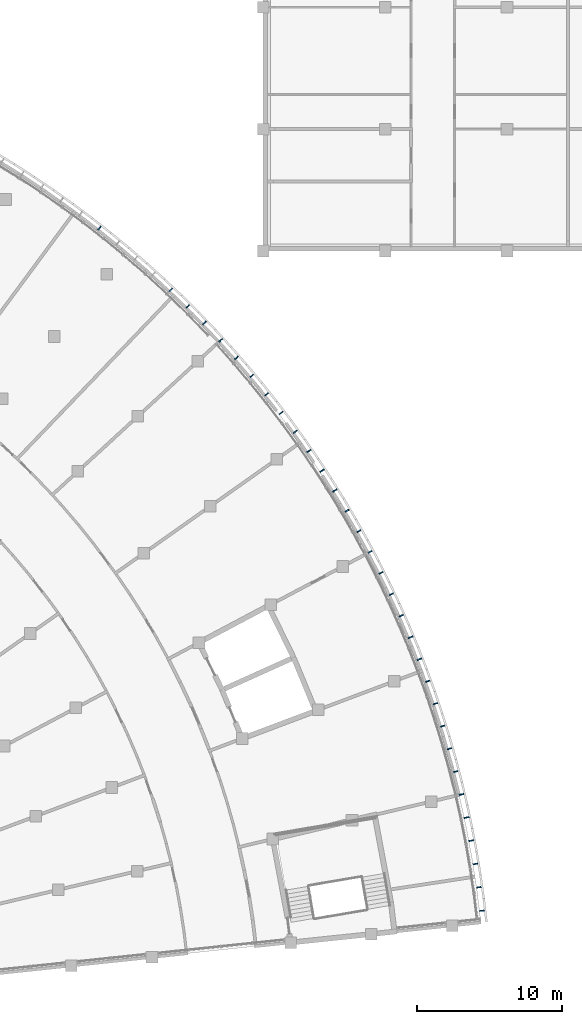
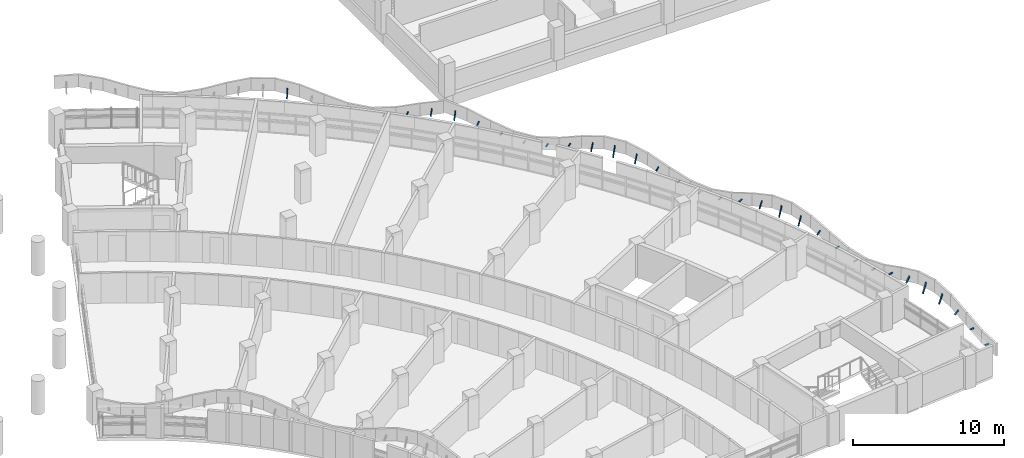
# One storey, part 75 of 89: 32 discrete accessories.
"""IFC4 building model written with IfcOpenShell, lengths in metres."""

import ifcopenshell
import ifcopenshell.guid

model = None  # the IFC model being written
_history = None  # IfcOwnerHistory: only IFC2X3 demands one
_inside = {}  # id of a spatial element -> (the spatial element, [elements in it])
_under = {}  # id of a project, library or spatial element -> (it, [spatial elements below it])
_declared = {}  # id of a project -> (the project, [libraries it declares])
_typed = {}  # id of a type object -> (the type object, [elements of that type])
_made_of = {}  # id of a material, layer set ... -> (it, [elements and type objects made of it])


def new_model(schema):
    """Start an empty IFC model of exactly this schema.

    Asked for "IFC4X3", IfcOpenShell would pick the latest addendum, in which some entities
    have other attributes; the version numbers below select the first issue.
    IFC2X3 requires an IfcOwnerHistory on every rooted entity: one is made here for all.
    """
    global model, _history
    if schema == "IFC4X3":
        model = ifcopenshell.file(schema_version=(4, 3, 0, 0))
    else:
        model = ifcopenshell.file(schema=schema)
    _inside.clear()
    _under.clear()
    _declared.clear()
    _typed.clear()
    _made_of.clear()
    _history = None
    if model.schema == "IFC2X3":
        org = make("IfcOrganization", Name="unknown")
        user = make(
            "IfcPersonAndOrganization",
            ThePerson=make("IfcPerson", FamilyName="unknown"),
            TheOrganization=org,
        )
        app = make(
            "IfcApplication",
            ApplicationDeveloper=org,
            Version="unknown",
            ApplicationFullName="unknown",
            ApplicationIdentifier="unknown",
        )
        _history = make(
            "IfcOwnerHistory",
            OwningUser=user,
            OwningApplication=app,
            ChangeAction="ADDED",
            CreationDate=0,
        )
    return model


def make(cls, **values):
    """One entity of the class cls with the attributes given. An attribute that is None is left unset."""
    return model.create_entity(
        cls, **{name: value for name, value in values.items() if value is not None}
    )


def rooted(cls, **values):
    """An entity with a GlobalId (a new one), such as an element, a storey or a relation."""
    return make(cls, GlobalId=ifcopenshell.guid.new(), OwnerHistory=_history, **values)


def si_unit(unit_type, name, prefix=None):
    """IfcSIUnit, for example si_unit("LENGTHUNIT", "METRE", prefix="MILLI")."""
    return make("IfcSIUnit", UnitType=unit_type, Prefix=prefix, Name=name)


def assignment(units):
    """IfcUnitAssignment: the units of a project."""
    return None if units is None else make("IfcUnitAssignment", Units=units)


def point(xyz):
    """IfcCartesianPoint."""
    return None if xyz is None else make("IfcCartesianPoint", Coordinates=xyz)


def direction(xyz):
    """IfcDirection."""
    return None if xyz is None else make("IfcDirection", DirectionRatios=xyz)


def frame(location, z_axis=None, x_axis=None):
    """IfcAxis2Placement3D, a coordinate frame: its origin and axes. An axis left out is left unset."""
    return make(
        "IfcAxis2Placement3D",
        Location=point(location),
        Axis=direction(z_axis),
        RefDirection=direction(x_axis),
    )


def frame_2d(location, x_axis=None):
    """IfcAxis2Placement2D, a coordinate frame in the plane: its origin and x axis."""
    return make(
        "IfcAxis2Placement2D", Location=point(location), RefDirection=direction(x_axis)
    )


def origin():
    """The frame at (0, 0, 0) with its axes left unset."""
    return frame((0.0, 0.0, 0.0))


def origin_2d():
    """The frame at (0, 0) in the plane with its x axis left unset."""
    return frame_2d((0.0, 0.0))


def place(relative_to, where):
    """IfcLocalPlacement: puts the frame where relative to a parent placement (None: the world)."""
    return make(
        "IfcLocalPlacement", PlacementRelTo=relative_to, RelativePlacement=where
    )


def context(
    kind, dimensions, precision=None, world=None, true_north=None, identifier=None
):
    """IfcGeometricRepresentationContext, for example the 3D "Model" context."""
    return make(
        "IfcGeometricRepresentationContext",
        ContextIdentifier=identifier,
        ContextType=kind,
        CoordinateSpaceDimension=dimensions,
        Precision=precision,
        WorldCoordinateSystem=world,
        TrueNorth=true_north,
    )


def subcontext(parent, identifier, kind, view, scale=None):
    """IfcGeometricRepresentationSubContext, for example "Body" below "Model"."""
    return make(
        "IfcGeometricRepresentationSubContext",
        ContextIdentifier=identifier,
        ContextType=kind,
        ParentContext=parent,
        TargetScale=scale,
        TargetView=view,
    )


def project(units=None, contexts=None):
    """IfcProject with its units and contexts."""
    return rooted(
        "IfcProject",
        Name="project",
        RepresentationContexts=contexts,
        UnitsInContext=assignment(units),
    )


def spatial(cls, under=None, at=None, **own):
    """A site, building, storey or space (cls), placed at a placement, below another one or the project."""
    s = rooted(cls, ObjectPlacement=at, **own)
    if under is not None:
        _under.setdefault(under.id(), (under, []))[1].append(s)
    return s


def profile(cls, at=None, kind="AREA", **sizes):
    """A parametric profile (cls). Its sizes go by their IFC names, for example OverallWidth=200.0."""
    return make(cls, ProfileType=kind, Position=at, **sizes)


def rectangle(**sizes):
    """IfcRectangleProfileDef."""
    return profile("IfcRectangleProfileDef", **sizes)


def extrude(swept, where, along, depth):
    """IfcExtrudedAreaSolid: the profile swept, set in the frame where, extruded along a direction by depth."""
    return make(
        "IfcExtrudedAreaSolid",
        SweptArea=swept,
        Position=where,
        ExtrudedDirection=direction(along),
        Depth=depth,
    )


def shape(context_of_items, identifier, shape_type, items):
    """IfcShapeRepresentation: the items that make up one representation, for example the "Body"."""
    return make(
        "IfcShapeRepresentation",
        ContextOfItems=context_of_items,
        RepresentationIdentifier=identifier,
        RepresentationType=shape_type,
        Items=items,
    )


def material(Name=None, Category=None):
    """IfcMaterial."""
    return make("IfcMaterial", Name=Name, Category=Category)


def material_profile(
    of_material, cross_section, Name=None, Category=None, Priority=None
):
    """IfcMaterialProfile: a cross section and its material."""
    return make(
        "IfcMaterialProfile",
        Name=Name,
        Material=of_material,
        Profile=cross_section,
        Priority=Priority,
        Category=Category,
    )


def profile_set(profiles, Name=None, composite=None):
    """IfcMaterialProfileSet."""
    return make(
        "IfcMaterialProfileSet",
        Name=Name,
        MaterialProfiles=profiles,
        CompositeProfile=composite,
    )


def made_of(thing, what):
    """Note that an element or type object is made of a material, layer set ...; save() writes the relation."""
    if what is not None:
        _made_of.setdefault(what.id(), (what, []))[1].append(thing)
    return thing


def type_object(cls, material=None, **own):
    """A type object (cls), such as IfcWallType, which elements share."""
    return made_of(rooted(cls, **own), material)


def element(
    cls,
    number,
    at=None,
    inside=None,
    cuts=None,
    type_object=None,
    material=None,
    context=None,
    identifier="Body",
    shape_type=None,
    held_by="IfcProductDefinitionShape",
    body=None,
    shapes=None,
    **own,
):
    """One element of the class cls, such as IfcWall. Its Tag is "e" and its number.

    at: its placement. inside: the storey or other place that contains it. cuts: it is an
    opening in that element (IfcRelVoidsElement). A single representation is given by context,
    identifier, shape_type and body (its items); several are given by shapes. held_by: the class
    of the entity that holds the representations. save() writes the other relations.
    """
    e = rooted(cls, Tag="e%d" % number, ObjectPlacement=at, **own)
    if body is not None:
        shapes = [shape(context, identifier, shape_type, body)]
    if shapes is not None:
        e.Representation = make(held_by, Representations=shapes)
    if inside is not None:
        _inside.setdefault(inside.id(), (inside, []))[1].append(e)
    if cuts is not None:
        rooted(
            "IfcRelVoidsElement", RelatingBuildingElement=cuts, RelatedOpeningElement=e
        )
    if type_object is not None:
        _typed.setdefault(type_object.id(), (type_object, []))[1].append(e)
    return made_of(e, material)


def aggregate(whole, parts):
    """IfcRelAggregates: a whole, such as a stair, and the parts it consists of."""
    return rooted("IfcRelAggregates", RelatingObject=whole, RelatedObjects=parts)


def save(model, path):
    """Write the relations noted so far, then the file.

    IfcRelAggregates (storeys below a building ...), IfcRelContainedInSpatialStructure (elements
    in a storey), IfcRelDefinesByType, IfcRelAssociatesMaterial and IfcRelDeclares: one each for
    every whole, place, type object, material and project.
    """
    for whole, parts in _under.values():
        aggregate(whole, parts)
    for where, things in _inside.values():
        rooted(
            "IfcRelContainedInSpatialStructure",
            RelatedElements=things,
            RelatingStructure=where,
        )
    for kind, things in _typed.values():
        rooted("IfcRelDefinesByType", RelatedObjects=things, RelatingType=kind)
    for what, things in _made_of.values():
        rooted("IfcRelAssociatesMaterial", RelatedObjects=things, RelatingMaterial=what)
    for by, libraries in _declared.values():
        rooted("IfcRelDeclares", RelatingContext=by, RelatedDefinitions=libraries)
    model.write(path)


model = new_model("IFC4")

# Units and contexts
model_context = context("Model", 3, precision=1e-05, world=origin(), true_north=direction((0.0, 1.0)))
body_context = subcontext(model_context, "Body", "Model", "MODEL_VIEW")
ifc_project = project(units=[si_unit("LENGTHUNIT", "METRE"), si_unit("AREAUNIT", "SQUARE_METRE"), si_unit("VOLUMEUNIT", "CUBIC_METRE"), si_unit("PLANEANGLEUNIT", "RADIAN"), si_unit("MASSUNIT", "GRAM", prefix="KILO")], contexts=[model_context])

# Site, building, storey
site_placement = place(None, origin())
site = spatial("IfcSite", under=ifc_project, at=site_placement, CompositionType="ELEMENT")
building_placement = place(site_placement, origin())
building = spatial("IfcBuilding", under=site, at=building_placement, Name="Bougainvillea Quay General Hospital", CompositionType="ELEMENT")
storey_placement = place(building_placement, frame((0.0, 0.0, 9.89990234375)))
storey = spatial("IfcBuildingStorey", under=building, at=storey_placement, Name="L01M", CompositionType="ELEMENT", Elevation=9.89990234375)

# Discrete accessories
ifc_material = material(Name="Stainless steel bracket, grade 316", Category="steel")
ifc_material_profile = material_profile(ifc_material, rectangle(XDim=0.080078125, YDim=0.050048828125, at=origin_2d()))
ifc_profile_set = profile_set([ifc_material_profile], Name="Stainless steel bracket, grade 316")
discrete_accessory_type = type_object("IfcDiscreteAccessoryType", Name="Stainless steel stand-off bracket 80x50", PredefinedType="BRACKET", material=ifc_profile_set)
discrete_accessory_1_placement = place(storey_placement, frame((159.641845703125, 70.5283203125, 2.64013671875), z_axis=(0.400096279827, 0.384742697983, 0.831802875216), x_axis=(-0.693141232376, 0.720801797987, 0.0)))
element("IfcDiscreteAccessory", 1, at=discrete_accessory_1_placement, inside=storey, type_object=discrete_accessory_type, Name="Fascia bracket a10 1", PredefinedType="BRACKET", context=body_context, shape_type="SweptSolid", body=[
    extrude(rectangle(XDim=0.080078125, YDim=0.050048828125, at=origin_2d()), origin(), (0.0, 0.0, 1.0), 0.54052734375),
])
discrete_accessory_2_placement = place(storey_placement, frame((158.50244140625, 71.685546875, 2.536865234375), z_axis=(0.704251467002, 0.709950611822, 0.0), x_axis=(-0.709950611822, 0.704251467002, 0.0)))
element("IfcDiscreteAccessory", 2, at=discrete_accessory_2_placement, inside=storey, type_object=discrete_accessory_type, Name="Fascia bracket a10 2", PredefinedType="BRACKET", context=body_context, shape_type="SweptSolid", body=[
    extrude(rectangle(XDim=0.080078125, YDim=0.050048828125, at=origin_2d()), origin(), (0.0, 0.0, 1.0), 0.2998046875),
])
discrete_accessory_3_placement = place(storey_placement, frame((157.336181640625, 72.816162109375, 2.077392578125), z_axis=(0.687722073019, 0.72597406998, 0.0), x_axis=(-0.72597406998, 0.687722073019, 0.0)))
element("IfcDiscreteAccessory", 3, at=discrete_accessory_3_placement, inside=storey, type_object=discrete_accessory_type, Name="Fascia bracket a10 3", PredefinedType="BRACKET", context=body_context, shape_type="SweptSolid", body=[
    extrude(rectangle(XDim=0.080078125, YDim=0.050048828125, at=origin_2d()), origin(), (0.0, 0.0, 1.0), 0.300048828125),
])
discrete_accessory_4_placement = place(storey_placement, frame((152.419189453125, 77.058837890625, 2.64013671875), z_axis=(0.252583104824, 0.321802190204, 0.912493904384), x_axis=(-0.786628745122, 0.617426284951, 0.0)))
element("IfcDiscreteAccessory", 4, at=discrete_accessory_4_placement, inside=storey, type_object=discrete_accessory_type, Name="Fascia bracket a10 7", PredefinedType="BRACKET", context=body_context, shape_type="SweptSolid", body=[
    extrude(rectangle(XDim=0.080078125, YDim=0.050048828125, at=origin_2d()), origin(), (0.0, 0.0, 1.0), 0.733642578125),
])
discrete_accessory_5_placement = place(storey_placement, frame((178.72265625, 30.123779296875, 1.9873046875), z_axis=(0.993305209587, 0.115519524784, 0.0), x_axis=(-0.115519524784, 0.993305209587, 0.0)))
element("IfcDiscreteAccessory", 5, at=discrete_accessory_5_placement, inside=storey, type_object=discrete_accessory_type, Name="Fascia bracket a14 1", PredefinedType="BRACKET", context=body_context, shape_type="SweptSolid", body=[
    extrude(rectangle(XDim=0.080078125, YDim=0.050048828125, at=origin_2d()), origin(), (0.0, 0.0, 1.0), 0.300048828125),
])
discrete_accessory_6_placement = place(storey_placement, frame((178.515625, 31.734619140625, 2.332763671875), z_axis=(0.990256578838, 0.139254831399, 0.0), x_axis=(-0.139254831399, 0.990256578838, 0.0)))
element("IfcDiscreteAccessory", 6, at=discrete_accessory_6_placement, inside=storey, type_object=discrete_accessory_type, Name="Fascia bracket a14 2", PredefinedType="BRACKET", context=body_context, shape_type="SweptSolid", body=[
    extrude(rectangle(XDim=0.080078125, YDim=0.050048828125, at=origin_2d()), origin(), (0.0, 0.0, 1.0), 0.2998046875),
])
discrete_accessory_7_placement = place(storey_placement, frame((178.27099609375, 33.34033203125, 2.64013671875), z_axis=(0.759709727664, 0.124634984176, 0.638206275754), x_axis=(-0.161891913248, 0.986808496328, 0.0)))
element("IfcDiscreteAccessory", 7, at=discrete_accessory_7_placement, inside=storey, type_object=discrete_accessory_type, Name="Fascia bracket a14 3", PredefinedType="BRACKET", context=body_context, shape_type="SweptSolid", body=[
    extrude(rectangle(XDim=0.080078125, YDim=0.050048828125, at=origin_2d()), origin(), (0.0, 0.0, 1.0), 0.389892578125),
])
discrete_accessory_8_placement = place(storey_placement, frame((177.9892578125, 34.93994140625, 2.64013671875), z_axis=(0.388745929411, 0.073050766537, 0.918444439188), x_axis=(-0.184681492326, 0.982798426124, 0.0)))
element("IfcDiscreteAccessory", 8, at=discrete_accessory_8_placement, inside=storey, type_object=discrete_accessory_type, Name="Fascia bracket a14 4", PredefinedType="BRACKET", context=body_context, shape_type="SweptSolid", body=[
    extrude(rectangle(XDim=0.080078125, YDim=0.050048828125, at=origin_2d()), origin(), (0.0, 0.0, 1.0), 0.758544921875),
])
discrete_accessory_9_placement = place(storey_placement, frame((177.67041015625, 36.532470703125, 2.64013671875), z_axis=(0.351611726628, 0.074885692194, 0.933145930068), x_axis=(-0.208306395052, 0.978063620518, 0.0)))
element("IfcDiscreteAccessory", 9, at=discrete_accessory_9_placement, inside=storey, type_object=discrete_accessory_type, Name="Fascia bracket a14 5", PredefinedType="BRACKET", context=body_context, shape_type="SweptSolid", body=[
    extrude(rectangle(XDim=0.080078125, YDim=0.050048828125, at=origin_2d()), origin(), (0.0, 0.0, 1.0), 0.834716796875),
])
discrete_accessory_10_placement = place(storey_placement, frame((177.31494140625, 38.117431640625, 2.64013671875), z_axis=(0.541209605207, 0.128169303995, 0.831062448162), x_axis=(-0.230446093146, 0.973085092967, 0.0)))
element("IfcDiscreteAccessory", 10, at=discrete_accessory_10_placement, inside=storey, type_object=discrete_accessory_type, Name="Fascia bracket a14 6", PredefinedType="BRACKET", context=body_context, shape_type="SweptSolid", body=[
    extrude(rectangle(XDim=0.080078125, YDim=0.050048828125, at=origin_2d()), origin(), (0.0, 0.0, 1.0), 0.5390625),
])
for number, where, z_axis, x_axis, name in (
    (11, (176.922607421875, 39.693603515625, 2.534423828125), (0.967651833377, 0.252289376238, 0.0), (-0.252289376238, 0.967651833377, 0.0), "Fascia bracket a14 7"),
    (12, (176.493896484375, 41.260009765625, 2.075927734375), (0.961185386049, 0.275903341127, 0.0), (-0.275903341127, 0.961185386049, 0.0), "Fascia bracket a14 8"),
):
    element("IfcDiscreteAccessory", number, at=place(storey_placement, frame(where, z_axis=z_axis, x_axis=x_axis)), inside=storey, type_object=discrete_accessory_type, Name=name, PredefinedType="BRACKET", context=body_context, shape_type="SweptSolid", body=[
        extrude(rectangle(XDim=0.080078125, YDim=0.050048828125, at=origin_2d()), origin(), (0.0, 0.0, 1.0), 0.300048828125),
    ])
discrete_accessory_11_placement = place(storey_placement, frame((176.02880859375, 42.81640625, 1.97607421875), z_axis=(0.95484138167, 0.297116030954, 0.0), x_axis=(-0.297116030954, 0.95484138167, 0.0)))
element("IfcDiscreteAccessory", 13, at=discrete_accessory_11_placement, inside=storey, type_object=discrete_accessory_type, Name="Fascia bracket a14 9", PredefinedType="BRACKET", context=body_context, shape_type="SweptSolid", body=[
    extrude(rectangle(XDim=0.080078125, YDim=0.050048828125, at=origin_2d()), origin(), (0.0, 0.0, 1.0), 0.2998046875),
])
discrete_accessory_12_placement = place(storey_placement, frame((175.52783203125, 44.361328125, 2.2919921875), z_axis=(0.947455279427, 0.319888251559, 0.0), x_axis=(-0.319888251559, 0.947455279427, 0.0)))
element("IfcDiscreteAccessory", 14, at=discrete_accessory_12_placement, inside=storey, type_object=discrete_accessory_type, Name="Fascia bracket a14 10", PredefinedType="BRACKET", context=body_context, shape_type="SweptSolid", body=[
    extrude(rectangle(XDim=0.080078125, YDim=0.050048828125, at=origin_2d()), origin(), (0.0, 0.0, 1.0), 0.300048828125),
])
discrete_accessory_13_placement = place(storey_placement, frame((174.990966796875, 45.894287109375, 2.64013671875), z_axis=(0.779114235505, 0.283314267456, 0.559208399337), x_axis=(-0.341743063087, 0.939793423488, 0.0)))
element("IfcDiscreteAccessory", 15, at=discrete_accessory_13_placement, inside=storey, type_object=discrete_accessory_type, Name="Fascia bracket a14 11", PredefinedType="BRACKET", context=body_context, shape_type="SweptSolid", body=[
    extrude(rectangle(XDim=0.080078125, YDim=0.050048828125, at=origin_2d()), origin(), (0.0, 0.0, 1.0), 0.36181640625),
])
discrete_accessory_14_placement = place(storey_placement, frame((174.4189453125, 47.41455078125, 2.64013671875), z_axis=(0.380370438557, 0.148161760346, 0.912889052537), x_axis=(-0.362956743558, 0.931805989628, 0.0)))
element("IfcDiscreteAccessory", 16, at=discrete_accessory_14_placement, inside=storey, type_object=discrete_accessory_type, Name="Fascia bracket a14 12", PredefinedType="BRACKET", context=body_context, shape_type="SweptSolid", body=[
    extrude(rectangle(XDim=0.080078125, YDim=0.050048828125, at=origin_2d()), origin(), (0.0, 0.0, 1.0), 0.73486328125),
])
discrete_accessory_15_placement = place(storey_placement, frame((173.811767578125, 48.9208984375, 2.64013671875), z_axis=(0.328143558978, 0.136871167016, 0.934659343473), x_axis=(-0.384962096424, 0.922932383394, 0.0)))
element("IfcDiscreteAccessory", 17, at=discrete_accessory_15_placement, inside=storey, type_object=discrete_accessory_type, Name="Fascia bracket a14 13", PredefinedType="BRACKET", context=body_context, shape_type="SweptSolid", body=[
    extrude(rectangle(XDim=0.080078125, YDim=0.050048828125, at=origin_2d()), origin(), (0.0, 0.0, 1.0), 0.84375),
])
discrete_accessory_16_placement = place(storey_placement, frame((173.169677734375, 50.412841796875, 2.64013671875), z_axis=(0.47875593929, 0.212733048714, 0.851784832325), x_axis=(-0.406062961772, 0.913845102344, 0.0)))
element("IfcDiscreteAccessory", 18, at=discrete_accessory_16_placement, inside=storey, type_object=discrete_accessory_type, Name="Fascia bracket a14 14", PredefinedType="BRACKET", context=body_context, shape_type="SweptSolid", body=[
    extrude(rectangle(XDim=0.080078125, YDim=0.050048828125, at=origin_2d()), origin(), (0.0, 0.0, 1.0), 0.57275390625),
])
for number, where, z_axis, x_axis, name in (
    (19, (172.4931640625, 51.889404296875, 2.581298828125), (0.904135144494, 0.427246580432, 0.0), (-0.427246580432, 0.904135144494, 0.0), "Fascia bracket a14 15"),
    (20, (171.782470703125, 53.35009765625, 2.102783203125), (0.894264390306, 0.447539048834, 0.0), (-0.447539048834, 0.894264390306, 0.0), "Fascia bracket a14 16"),
    (21, (171.038330078125, 54.793701171875, 1.967529296875), (0.8834314911, 0.46856034887, 0.0), (-0.46856034887, 0.8834314911, 0.0), "Fascia bracket a14 17"),
    (22, (170.2607421875, 56.2197265625, 2.2529296875), (0.872270034902, 0.489024525164, 0.0), (-0.489024525164, 0.872270034902, 0.0), "Fascia bracket a14 18"),
):
    element("IfcDiscreteAccessory", number, at=place(storey_placement, frame(where, z_axis=z_axis, x_axis=x_axis)), inside=storey, type_object=discrete_accessory_type, Name=name, PredefinedType="BRACKET", context=body_context, shape_type="SweptSolid", body=[
        extrude(rectangle(XDim=0.080078125, YDim=0.050048828125, at=origin_2d()), origin(), (0.0, 0.0, 1.0), 0.300048828125),
    ])
discrete_accessory_17_placement = place(storey_placement, frame((169.4501953125, 57.627197265625, 2.64013671875), z_axis=(0.764648695897, 0.452429190578, 0.458933763605), x_axis=(-0.509222533349, 0.860634888631, 0.0)))
element("IfcDiscreteAccessory", 23, at=discrete_accessory_17_placement, inside=storey, type_object=discrete_accessory_type, Name="Fascia bracket a14 19", PredefinedType="BRACKET", context=body_context, shape_type="SweptSolid", body=[
    extrude(rectangle(XDim=0.080078125, YDim=0.050048828125, at=origin_2d()), origin(), (0.0, 0.0, 1.0), 0.337890625),
])
discrete_accessory_18_placement = place(storey_placement, frame((168.607421875, 59.015625, 2.64013671875), z_axis=(0.358950808986, 0.223698970126, 0.90615290514), x_axis=(-0.528901380348, 0.84868329185, 0.0)))
element("IfcDiscreteAccessory", 24, at=discrete_accessory_18_placement, inside=storey, type_object=discrete_accessory_type, Name="Fascia bracket a14 20", PredefinedType="BRACKET", context=body_context, shape_type="SweptSolid", body=[
    extrude(rectangle(XDim=0.080078125, YDim=0.050048828125, at=origin_2d()), origin(), (0.0, 0.0, 1.0), 0.70947265625),
])
discrete_accessory_19_placement = place(storey_placement, frame((167.732666015625, 60.38427734375, 2.64013671875), z_axis=(0.294891747014, 0.193244543077, 0.935785982003), x_axis=(-0.548104851192, 0.836409631759, 0.0)))
element("IfcDiscreteAccessory", 25, at=discrete_accessory_19_placement, inside=storey, type_object=discrete_accessory_type, Name="Fascia bracket a14 21", PredefinedType="BRACKET", context=body_context, shape_type="SweptSolid", body=[
    extrude(rectangle(XDim=0.080078125, YDim=0.050048828125, at=origin_2d()), origin(), (0.0, 0.0, 1.0), 0.850341796875),
])
discrete_accessory_20_placement = place(storey_placement, frame((166.826171875, 61.73193359375, 2.64013671875), z_axis=(0.408042490496, 0.281436421311, 0.868501506452), x_axis=(-0.56777097186, 0.82318656665, 0.0)))
element("IfcDiscreteAccessory", 26, at=discrete_accessory_20_placement, inside=storey, type_object=discrete_accessory_type, Name="Fascia bracket a14 22", PredefinedType="BRACKET", context=body_context, shape_type="SweptSolid", body=[
    extrude(rectangle(XDim=0.080078125, YDim=0.050048828125, at=origin_2d()), origin(), (0.0, 0.0, 1.0), 0.60546875),
])
discrete_accessory_21_placement = place(storey_placement, frame((165.888671875, 63.058349609375, 2.628662109375), z_axis=(0.810035366697, 0.586381023482, 0.0), x_axis=(-0.586381023482, 0.810035366697, 0.0)))
element("IfcDiscreteAccessory", 27, at=discrete_accessory_21_placement, inside=storey, type_object=discrete_accessory_type, Name="Fascia bracket a14 23", PredefinedType="BRACKET", context=body_context, shape_type="SweptSolid", body=[
    extrude(rectangle(XDim=0.080078125, YDim=0.050048828125, at=origin_2d()), origin(), (0.0, 0.0, 1.0), 0.30029296875),
])
discrete_accessory_22_placement = place(storey_placement, frame((164.9208984375, 64.36279296875, 2.13232421875), z_axis=(0.796272005025, 0.604938752283, 0.0), x_axis=(-0.604938752283, 0.796272005025, 0.0)))
element("IfcDiscreteAccessory", 28, at=discrete_accessory_22_placement, inside=storey, type_object=discrete_accessory_type, Name="Fascia bracket a14 24", PredefinedType="BRACKET", context=body_context, shape_type="SweptSolid", body=[
    extrude(rectangle(XDim=0.080078125, YDim=0.050048828125, at=origin_2d()), origin(), (0.0, 0.0, 1.0), 0.2998046875),
])
discrete_accessory_23_placement = place(storey_placement, frame((163.9228515625, 65.64404296875, 1.962158203125), z_axis=(0.781582417323, 0.623801991766, 0.0), x_axis=(-0.623801991766, 0.781582417323, 0.0)))
element("IfcDiscreteAccessory", 29, at=discrete_accessory_23_placement, inside=storey, type_object=discrete_accessory_type, Name="Fascia bracket a14 25", PredefinedType="BRACKET", context=body_context, shape_type="SweptSolid", body=[
    extrude(rectangle(XDim=0.080078125, YDim=0.050048828125, at=origin_2d()), origin(), (0.0, 0.0, 1.0), 0.30029296875),
])
discrete_accessory_24_placement = place(storey_placement, frame((162.8955078125, 66.902099609375, 2.2158203125), z_axis=(0.767018582202, 0.641624886173, 0.0), x_axis=(-0.641624886173, 0.767018582202, 0.0)))
element("IfcDiscreteAccessory", 30, at=discrete_accessory_24_placement, inside=storey, type_object=discrete_accessory_type, Name="Fascia bracket a14 26", PredefinedType="BRACKET", context=body_context, shape_type="SweptSolid", body=[
    extrude(rectangle(XDim=0.080078125, YDim=0.050048828125, at=origin_2d()), origin(), (0.0, 0.0, 1.0), 0.2998046875),
])
discrete_accessory_25_placement = place(storey_placement, frame((161.839111328125, 68.135986328125, 2.64013671875), z_axis=(0.707952242238, 0.620607485079, 0.337120115351), x_axis=(-0.659195718475, 0.751971412186, 0.0)))
element("IfcDiscreteAccessory", 31, at=discrete_accessory_25_placement, inside=storey, type_object=discrete_accessory_type, Name="Fascia bracket a14 27", PredefinedType="BRACKET", context=body_context, shape_type="SweptSolid", body=[
    extrude(rectangle(XDim=0.080078125, YDim=0.050048828125, at=origin_2d()), origin(), (0.0, 0.0, 1.0), 0.318603515625),
])
discrete_accessory_26_placement = place(storey_placement, frame((160.75439453125, 69.344970703125, 2.64013671875), z_axis=(0.324257766861, 0.297743872112, 0.897889462712), x_axis=(-0.676350933902, 0.736579536921, 0.0)))
element("IfcDiscreteAccessory", 32, at=discrete_accessory_26_placement, inside=storey, type_object=discrete_accessory_type, Name="Fascia bracket a14 28", PredefinedType="BRACKET", context=body_context, shape_type="SweptSolid", body=[
    extrude(rectangle(XDim=0.080078125, YDim=0.050048828125, at=origin_2d()), origin(), (0.0, 0.0, 1.0), 0.681396484375),
])

save(model, "model.ifc")
